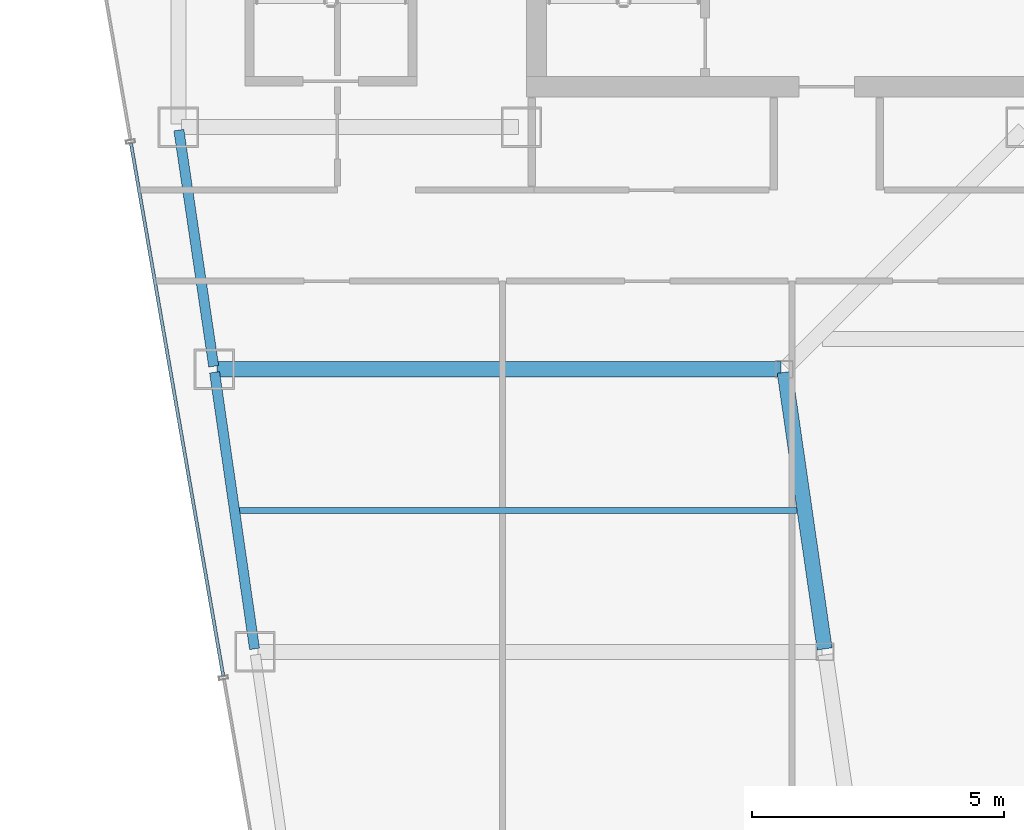
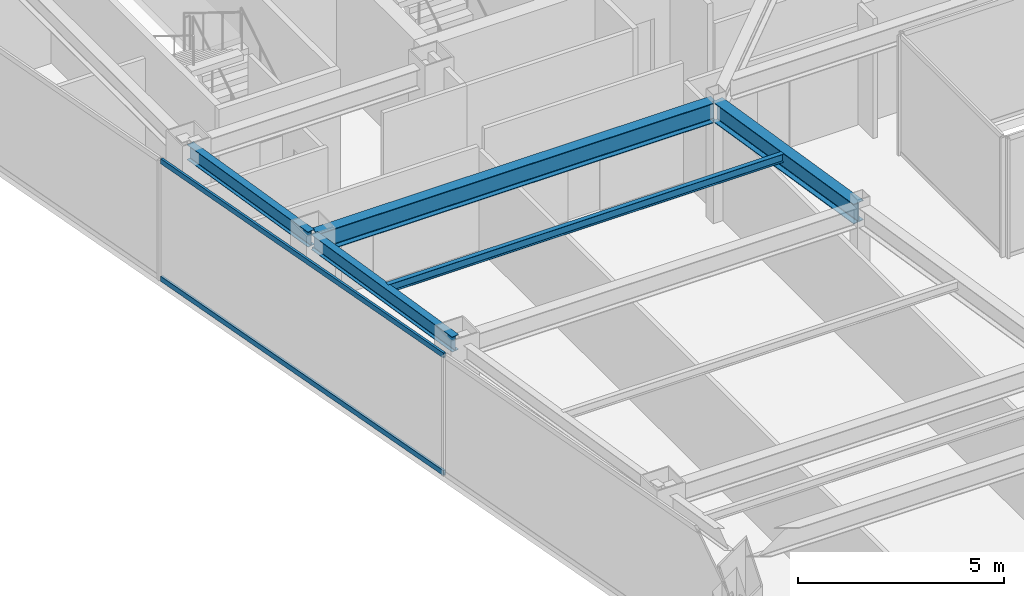
# One storey, part 7 of 32: 5 beams, 2 members, 1 element without a shape of its own.
"""IFC4 building model written with IfcOpenShell, lengths in metres."""

import ifcopenshell
import ifcopenshell.guid

model = None  # the IFC model being written
_history = None  # IfcOwnerHistory: only IFC2X3 demands one
_inside = {}  # id of a spatial element -> (the spatial element, [elements in it])
_under = {}  # id of a project, library or spatial element -> (it, [spatial elements below it])
_declared = {}  # id of a project -> (the project, [libraries it declares])
_typed = {}  # id of a type object -> (the type object, [elements of that type])
_made_of = {}  # id of a material, layer set ... -> (it, [elements and type objects made of it])


def new_model(schema):
    """Start an empty IFC model of exactly this schema.

    Asked for "IFC4X3", IfcOpenShell would pick the latest addendum, in which some entities
    have other attributes; the version numbers below select the first issue.
    IFC2X3 requires an IfcOwnerHistory on every rooted entity: one is made here for all.
    """
    global model, _history
    if schema == "IFC4X3":
        model = ifcopenshell.file(schema_version=(4, 3, 0, 0))
    else:
        model = ifcopenshell.file(schema=schema)
    _inside.clear()
    _under.clear()
    _declared.clear()
    _typed.clear()
    _made_of.clear()
    _history = None
    if model.schema == "IFC2X3":
        org = make("IfcOrganization", Name="unknown")
        user = make(
            "IfcPersonAndOrganization",
            ThePerson=make("IfcPerson", FamilyName="unknown"),
            TheOrganization=org,
        )
        app = make(
            "IfcApplication",
            ApplicationDeveloper=org,
            Version="unknown",
            ApplicationFullName="unknown",
            ApplicationIdentifier="unknown",
        )
        _history = make(
            "IfcOwnerHistory",
            OwningUser=user,
            OwningApplication=app,
            ChangeAction="ADDED",
            CreationDate=0,
        )
    return model


def make(cls, **values):
    """One entity of the class cls with the attributes given. An attribute that is None is left unset."""
    return model.create_entity(
        cls, **{name: value for name, value in values.items() if value is not None}
    )


def rooted(cls, **values):
    """An entity with a GlobalId (a new one), such as an element, a storey or a relation."""
    return make(cls, GlobalId=ifcopenshell.guid.new(), OwnerHistory=_history, **values)


def si_unit(unit_type, name, prefix=None):
    """IfcSIUnit, for example si_unit("LENGTHUNIT", "METRE", prefix="MILLI")."""
    return make("IfcSIUnit", UnitType=unit_type, Prefix=prefix, Name=name)


def assignment(units):
    """IfcUnitAssignment: the units of a project."""
    return None if units is None else make("IfcUnitAssignment", Units=units)


def point(xyz):
    """IfcCartesianPoint."""
    return None if xyz is None else make("IfcCartesianPoint", Coordinates=xyz)


def direction(xyz):
    """IfcDirection."""
    return None if xyz is None else make("IfcDirection", DirectionRatios=xyz)


def frame(location, z_axis=None, x_axis=None):
    """IfcAxis2Placement3D, a coordinate frame: its origin and axes. An axis left out is left unset."""
    return make(
        "IfcAxis2Placement3D",
        Location=point(location),
        Axis=direction(z_axis),
        RefDirection=direction(x_axis),
    )


def frame_2d(location, x_axis=None):
    """IfcAxis2Placement2D, a coordinate frame in the plane: its origin and x axis."""
    return make(
        "IfcAxis2Placement2D", Location=point(location), RefDirection=direction(x_axis)
    )


def origin():
    """The frame at (0, 0, 0) with its axes left unset."""
    return frame((0.0, 0.0, 0.0))


def origin_2d():
    """The frame at (0, 0) in the plane with its x axis left unset."""
    return frame_2d((0.0, 0.0))


def place(relative_to, where):
    """IfcLocalPlacement: puts the frame where relative to a parent placement (None: the world)."""
    return make(
        "IfcLocalPlacement", PlacementRelTo=relative_to, RelativePlacement=where
    )


def context(
    kind, dimensions, precision=None, world=None, true_north=None, identifier=None
):
    """IfcGeometricRepresentationContext, for example the 3D "Model" context."""
    return make(
        "IfcGeometricRepresentationContext",
        ContextIdentifier=identifier,
        ContextType=kind,
        CoordinateSpaceDimension=dimensions,
        Precision=precision,
        WorldCoordinateSystem=world,
        TrueNorth=true_north,
    )


def subcontext(parent, identifier, kind, view, scale=None):
    """IfcGeometricRepresentationSubContext, for example "Body" below "Model"."""
    return make(
        "IfcGeometricRepresentationSubContext",
        ContextIdentifier=identifier,
        ContextType=kind,
        ParentContext=parent,
        TargetScale=scale,
        TargetView=view,
    )


def project(units=None, contexts=None):
    """IfcProject with its units and contexts."""
    return rooted(
        "IfcProject",
        Name="project",
        RepresentationContexts=contexts,
        UnitsInContext=assignment(units),
    )


def spatial(cls, under=None, at=None, **own):
    """A site, building, storey or space (cls), placed at a placement, below another one or the project."""
    s = rooted(cls, ObjectPlacement=at, **own)
    if under is not None:
        _under.setdefault(under.id(), (under, []))[1].append(s)
    return s


def profile(cls, at=None, kind="AREA", **sizes):
    """A parametric profile (cls). Its sizes go by their IFC names, for example OverallWidth=200.0."""
    return make(cls, ProfileType=kind, Position=at, **sizes)


def hollow_rectangle(**sizes):
    """IfcRectangleHollowProfileDef."""
    return profile("IfcRectangleHollowProfileDef", **sizes)


def i_section(**sizes):
    """IfcIShapeProfileDef."""
    return profile("IfcIShapeProfileDef", **sizes)


def extrude(swept, where, along, depth):
    """IfcExtrudedAreaSolid: the profile swept, set in the frame where, extruded along a direction by depth."""
    return make(
        "IfcExtrudedAreaSolid",
        SweptArea=swept,
        Position=where,
        ExtrudedDirection=direction(along),
        Depth=depth,
    )


def shape(context_of_items, identifier, shape_type, items):
    """IfcShapeRepresentation: the items that make up one representation, for example the "Body"."""
    return make(
        "IfcShapeRepresentation",
        ContextOfItems=context_of_items,
        RepresentationIdentifier=identifier,
        RepresentationType=shape_type,
        Items=items,
    )


def material(Name=None, Category=None):
    """IfcMaterial."""
    return make("IfcMaterial", Name=Name, Category=Category)


def material_profile(
    of_material, cross_section, Name=None, Category=None, Priority=None
):
    """IfcMaterialProfile: a cross section and its material."""
    return make(
        "IfcMaterialProfile",
        Name=Name,
        Material=of_material,
        Profile=cross_section,
        Priority=Priority,
        Category=Category,
    )


def profile_set(profiles, Name=None, composite=None):
    """IfcMaterialProfileSet."""
    return make(
        "IfcMaterialProfileSet",
        Name=Name,
        MaterialProfiles=profiles,
        CompositeProfile=composite,
    )


def made_of(thing, what):
    """Note that an element or type object is made of a material, layer set ...; save() writes the relation."""
    if what is not None:
        _made_of.setdefault(what.id(), (what, []))[1].append(thing)
    return thing


def type_object(cls, material=None, **own):
    """A type object (cls), such as IfcWallType, which elements share."""
    return made_of(rooted(cls, **own), material)


def element(
    cls,
    number,
    at=None,
    inside=None,
    cuts=None,
    type_object=None,
    material=None,
    context=None,
    identifier="Body",
    shape_type=None,
    held_by="IfcProductDefinitionShape",
    body=None,
    shapes=None,
    **own,
):
    """One element of the class cls, such as IfcWall. Its Tag is "e" and its number.

    at: its placement. inside: the storey or other place that contains it. cuts: it is an
    opening in that element (IfcRelVoidsElement). A single representation is given by context,
    identifier, shape_type and body (its items); several are given by shapes. held_by: the class
    of the entity that holds the representations. save() writes the other relations.
    """
    e = rooted(cls, Tag="e%d" % number, ObjectPlacement=at, **own)
    if body is not None:
        shapes = [shape(context, identifier, shape_type, body)]
    if shapes is not None:
        e.Representation = make(held_by, Representations=shapes)
    if inside is not None:
        _inside.setdefault(inside.id(), (inside, []))[1].append(e)
    if cuts is not None:
        rooted(
            "IfcRelVoidsElement", RelatingBuildingElement=cuts, RelatedOpeningElement=e
        )
    if type_object is not None:
        _typed.setdefault(type_object.id(), (type_object, []))[1].append(e)
    return made_of(e, material)


def aggregate(whole, parts):
    """IfcRelAggregates: a whole, such as a stair, and the parts it consists of."""
    return rooted("IfcRelAggregates", RelatingObject=whole, RelatedObjects=parts)


def save(model, path):
    """Write the relations noted so far, then the file.

    IfcRelAggregates (storeys below a building ...), IfcRelContainedInSpatialStructure (elements
    in a storey), IfcRelDefinesByType, IfcRelAssociatesMaterial and IfcRelDeclares: one each for
    every whole, place, type object, material and project.
    """
    for whole, parts in _under.values():
        aggregate(whole, parts)
    for where, things in _inside.values():
        rooted(
            "IfcRelContainedInSpatialStructure",
            RelatedElements=things,
            RelatingStructure=where,
        )
    for kind, things in _typed.values():
        rooted("IfcRelDefinesByType", RelatedObjects=things, RelatingType=kind)
    for what, things in _made_of.values():
        rooted("IfcRelAssociatesMaterial", RelatedObjects=things, RelatingMaterial=what)
    for by, libraries in _declared.values():
        rooted("IfcRelDeclares", RelatingContext=by, RelatedDefinitions=libraries)
    model.write(path)


model = new_model("IFC4")

# Units and contexts
model_context = context("Model", 3, precision=1e-05, world=origin(), true_north=direction((0.0, 1.0)))
body_context = subcontext(model_context, "Body", "Model", "MODEL_VIEW")
ifc_project = project(units=[si_unit("LENGTHUNIT", "METRE"), si_unit("AREAUNIT", "SQUARE_METRE"), si_unit("VOLUMEUNIT", "CUBIC_METRE"), si_unit("PLANEANGLEUNIT", "RADIAN"), si_unit("MASSUNIT", "GRAM", prefix="KILO")], contexts=[model_context])

# Site, building, storey
site_placement = place(None, origin())
site = spatial("IfcSite", under=ifc_project, at=site_placement, CompositionType="ELEMENT")
building_placement = place(site_placement, origin())
building = spatial("IfcBuilding", under=site, at=building_placement, Name="Saevonmaru Cultural Tower", CompositionType="ELEMENT")
storey_placement = place(building_placement, frame((0.0, 0.0, 245.800048828125)))
storey = spatial("IfcBuildingStorey", under=building, at=storey_placement, Name="L57", CompositionType="ELEMENT", Elevation=245.800048828125)

# Beams
ifc_material_1 = material(Name="Steel SM355", Category="steel")
ifc_material_profile_1 = material_profile(ifc_material_1, i_section(OverallWidth=0.300048828125, OverallDepth=0.587890625, WebThickness=0.011962890625, FlangeThickness=0.02001953125, FilletRadius=0.02392578125, at=origin_2d()), Name="H-588x300x12x20")
ifc_profile_set_1 = profile_set([ifc_material_profile_1], Name="Steel SM355")
beam_type_1 = type_object("IfcBeamType", Name="BM-G-H588", PredefinedType="BEAM", material=ifc_profile_set_1)
beam_1_placement = place(storey_placement, frame((19.6083984375, 32.059326171875, 3.255859375), z_axis=(-0.142964121327, 0.989727871697, 0.0), x_axis=(-0.989727871697, -0.142964121327, 0.0)))
element("IfcBeam", 1, at=beam_1_placement, inside=storey, type_object=beam_type_1, Name="L57 West Atrium Girder 3", PredefinedType="BEAM", context=body_context, shape_type="SweptSolid", body=[
    extrude(i_section(OverallWidth=0.300048828125, OverallDepth=0.587890625, WebThickness=0.011962890625, FlangeThickness=0.02001953125, FilletRadius=0.02392578125, at=origin_2d()), origin(), (0.0, 0.0, 1.0), 5.5380859375),
])
beam_2_placement = place(storey_placement, frame((7.568115234375, 37.60009765625, 3.255859375), z_axis=(1.0, 0.0, 0.0), x_axis=(0.0, 1.0, 0.0)))
element("IfcBeam", 2, at=beam_2_placement, inside=storey, type_object=beam_type_1, Name="L57 West Wing Transverse Girder 4", PredefinedType="BEAM", context=body_context, shape_type="SweptSolid", body=[
    extrude(i_section(OverallWidth=0.300048828125, OverallDepth=0.587890625, WebThickness=0.011962890625, FlangeThickness=0.02001953125, FilletRadius=0.02392578125, at=origin_2d()), origin(), (0.0, 0.0, 1.0), 11.179931640625),
])
ifc_material_profile_2 = material_profile(ifc_material_1, i_section(OverallWidth=0.125, OverallDepth=0.25, WebThickness=0.006103515625, FlangeThickness=0.009033203125, FilletRadius=0.008056640625, at=origin_2d()), Name="H-250x125x6x9")
ifc_profile_set_2 = profile_set([ifc_material_profile_2], Name="Steel SM355")
beam_type_2 = type_object("IfcBeamType", Name="BM-J-H250", PredefinedType="JOIST", material=ifc_profile_set_2)
beam_3_placement = place(storey_placement, frame((7.972412109375, 34.800048828125, 3.425048828125), z_axis=(1.0, 0.0, 0.0), x_axis=(0.0, 1.0, 0.0)))
element("IfcBeam", 3, at=beam_3_placement, inside=storey, type_object=beam_type_2, Name="L57 West Wing Floor Joist 3", PredefinedType="JOIST", context=body_context, shape_type="SweptSolid", body=[
    extrude(i_section(OverallWidth=0.125, OverallDepth=0.25, WebThickness=0.006103515625, FlangeThickness=0.009033203125, FilletRadius=0.008056640625, at=origin_2d()), origin(), (0.0, 0.0, 1.0), 11.08203125),
])
ifc_material_profile_3 = material_profile(ifc_material_1, i_section(OverallWidth=0.199951171875, OverallDepth=0.449951171875, WebThickness=0.009033203125, FlangeThickness=0.013916015625, FilletRadius=0.01806640625, at=origin_2d()), Name="H-450x200x9x14")
ifc_profile_set_3 = profile_set([ifc_material_profile_3], Name="Steel SM355")
beam_type_3 = type_object("IfcBeamType", Name="BM-SP-H450", PredefinedType="SPANDREL", material=ifc_profile_set_3)
beam_4_placement = place(storey_placement, frame((8.308349609375, 32.059326171875, 3.324951171875), z_axis=(-0.142964121327, 0.989727871697, 0.0), x_axis=(-0.989727871697, -0.142964121327, 0.0)))
element("IfcBeam", 4, at=beam_4_placement, inside=storey, type_object=beam_type_3, Name="L57 West Splayed Spandrel 3", PredefinedType="SPANDREL", context=body_context, shape_type="SweptSolid", body=[
    extrude(i_section(OverallWidth=0.199951171875, OverallDepth=0.449951171875, WebThickness=0.009033203125, FlangeThickness=0.013916015625, FilletRadius=0.01806640625, at=origin_2d()), origin(), (0.0, 0.0, 1.0), 5.5380859375),
])
beam_5_placement = place(storey_placement, frame((7.499267578125, 37.659423828125, 3.324951171875), z_axis=(-0.145912860028, 0.989297446312, 0.0), x_axis=(-0.989297446312, -0.145912860028, 0.0)))
element("IfcBeam", 5, at=beam_5_placement, inside=storey, type_object=beam_type_3, Name="L57 West Splayed Spandrel 4", PredefinedType="SPANDREL", context=body_context, shape_type="SweptSolid", body=[
    extrude(i_section(OverallWidth=0.199951171875, OverallDepth=0.449951171875, WebThickness=0.009033203125, FlangeThickness=0.013916015625, FilletRadius=0.01806640625, at=origin_2d()), origin(), (0.0, 0.0, 1.0), 4.731689453125),
])

# Curtain wall, members
ifc_material_2 = material(Name="Satin Bronze Anodised Aluminium", Category="aluminium")
curtain_wall_type = type_object("IfcCurtainWallType", Name="CW-TYP-B", PredefinedType="NOTDEFINED", material=ifc_material_2)
curtain_wall_placement = place(storey_placement, origin())
curtain_wall = element("IfcCurtainWall", 6, at=curtain_wall_placement, inside=storey, type_object=curtain_wall_type, Name="L57 Unitised Curtain Wall E12", PredefinedType="NOTDEFINED")
ifc_material_profile_4 = material_profile(ifc_material_2, hollow_rectangle(XDim=0.06494140625, YDim=0.14990234375, WallThickness=0.00390625, at=origin_2d()), Name="ALU-TRAN-150x65x4")
ifc_profile_set_4 = profile_set([ifc_material_profile_4], Name="Satin Bronze Anodised Aluminium")
member_type = type_object("IfcMemberType", Name="TR-CW-150x65", PredefinedType="USERDEFINED", material=ifc_profile_set_4)
member_1_placement = place(storey_placement, frame((5.85791015625, 42.08154296875, 0.032470703125), z_axis=(0.170795272137, -0.985306538604, 0.0), x_axis=(0.985306538604, 0.170795272137, 0.0)))
member_1 = element("IfcMember", 7, at=member_1_placement, type_object=member_type, Name="CW-TW-L57-E12 transom 2.1", ObjectType="TRANSOM", PredefinedType="USERDEFINED", context=body_context, shape_type="SweptSolid", body=[
    extrude(hollow_rectangle(XDim=0.06494140625, YDim=0.14990234375, WallThickness=0.00390625, at=origin_2d()), origin(), (0.0, 0.0, 1.0), 10.720703125),
])
member_2_placement = place(storey_placement, frame((5.85791015625, 42.08154296875, 3.517333984375), z_axis=(0.170795272137, -0.985306538604, 0.0), x_axis=(0.985306538604, 0.170795272137, 0.0)))
member_2 = element("IfcMember", 8, at=member_2_placement, type_object=member_type, Name="CW-TW-L57-E12 transom 2.2", ObjectType="TRANSOM", PredefinedType="USERDEFINED", context=body_context, shape_type="SweptSolid", body=[
    extrude(hollow_rectangle(XDim=0.06494140625, YDim=0.14990234375, WallThickness=0.00390625, at=origin_2d()), origin(), (0.0, 0.0, 1.0), 10.720703125),
])
aggregate(curtain_wall, [member_1, member_2])

save(model, "model.ifc")
